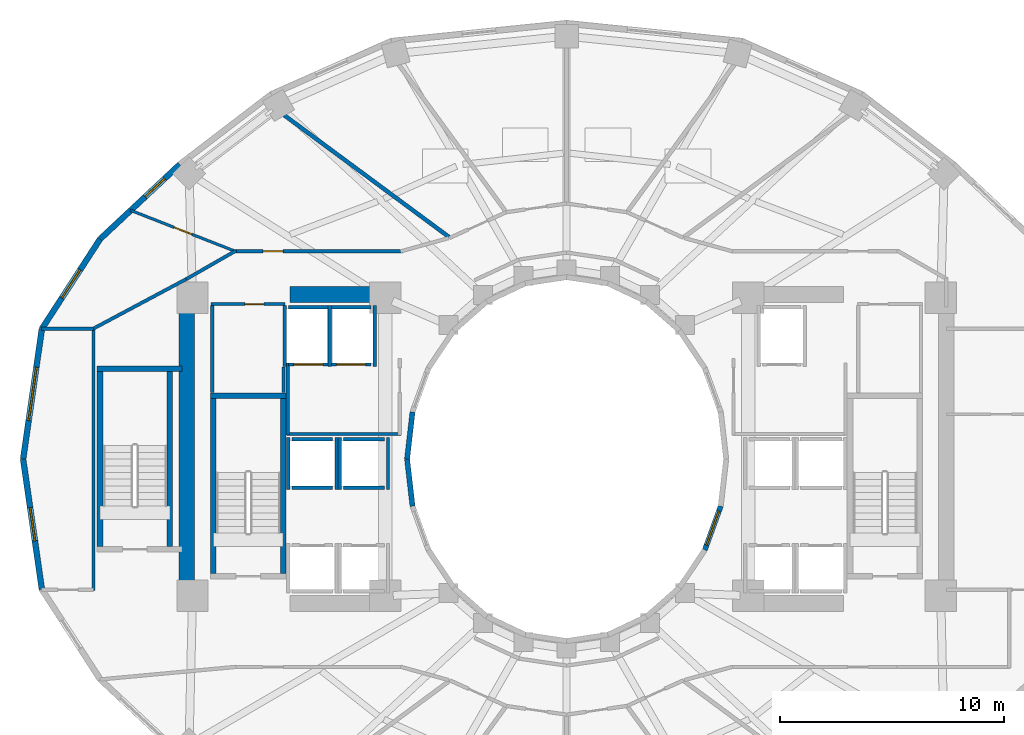
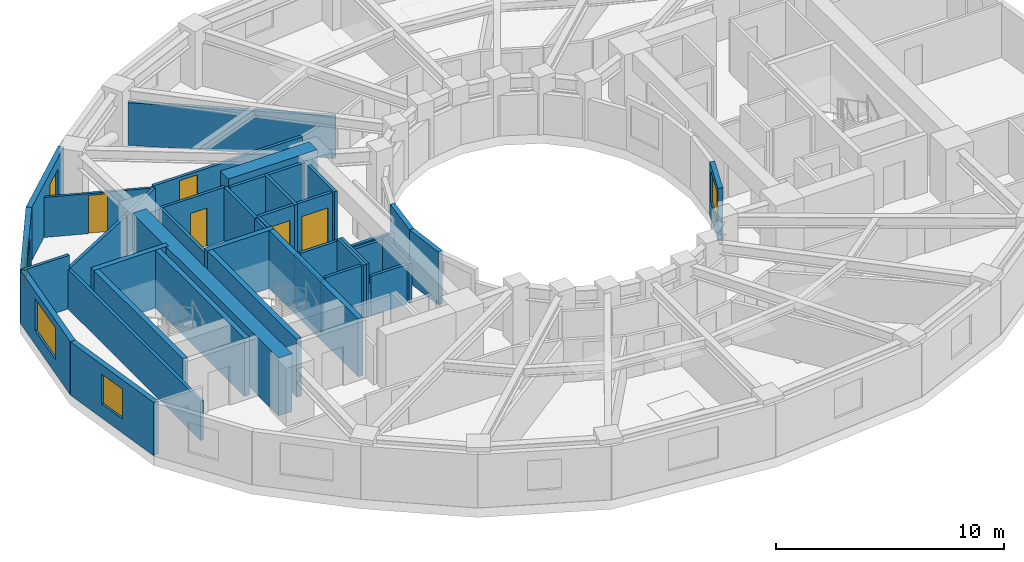
# One storey, part 4 of 9: 42 walls, 5 doors, 5 windows, 10 openings.
"""IFC4 building model written with IfcOpenShell, lengths in metres."""

from ifc_helpers import new_model, si_unit, direction, frame, frame_2d, origin, place, context, subcontext, project, spatial, rectangle, extrude, material, layer, layer_set, type_object, element, fill, save


model = new_model("IFC4")

# Units and contexts
model_context = context("Model", 3, precision=1e-05, world=origin(), true_north=direction((0.0, 1.0)))
body_context = subcontext(model_context, "Body", "Model", "MODEL_VIEW")
ifc_project = project(units=[si_unit("LENGTHUNIT", "METRE"), si_unit("AREAUNIT", "SQUARE_METRE"), si_unit("VOLUMEUNIT", "CUBIC_METRE"), si_unit("PLANEANGLEUNIT", "RADIAN"), si_unit("MASSUNIT", "GRAM", prefix="KILO")], contexts=[model_context])

# Site, building, storey
site_placement = place(None, origin())
site = spatial("IfcSite", under=ifc_project, at=site_placement, CompositionType="ELEMENT")
building_placement = place(site_placement, origin())
building = spatial("IfcBuilding", under=site, at=building_placement, Name="Solvane Sanctuary Tower", CompositionType="ELEMENT")
storey_placement = place(building_placement, frame((0.0, 0.0, 104.199951171875)))
storey = spatial("IfcBuildingStorey", under=building, at=storey_placement, Name="L31", CompositionType="ELEMENT", Elevation=104.199951171875)

# Walls
ifc_material_1 = material(Name="Concrete C60/75", Category="concrete")
ifc_layer_1 = layer(ifc_material_1, 0.699951171875, Name="Concrete C60/75")
ifc_layer_set_1 = layer_set([ifc_layer_1], Name="Concrete C60/75")
wall_type_1 = type_object("IfcWallType", Name="Wall W-CORE-700", PredefinedType="SHEAR", material=ifc_layer_set_1)
wall_1_placement = place(storey_placement, frame((15.050048828125, 17.050048828125, 0.0), z_axis=(0.0, 0.0, 1.0), x_axis=(0.0, 1.0, 0.0)))
element("IfcWall", 1, at=wall_1_placement, inside=storey, type_object=wall_type_1, Name="L31 Core Shear Wall WC-W", PredefinedType="SHEAR", context=body_context, shape_type="SweptSolid", body=[
    extrude(rectangle(XDim=12.800048828125, YDim=0.699951171875, at=frame_2d((6.39990234375, 0.0))), origin(), (0.0, 0.0, 1.0), 3.10009765625),
])
wall_2_placement = place(storey_placement, frame((19.64990234375, 30.35009765625, 0.0), z_axis=(0.0, 0.0, 1.0), x_axis=(1.0, 0.0, 0.0)))
element("IfcWall", 2, at=wall_2_placement, inside=storey, type_object=wall_type_1, Name="L31 Core Shear Wall WC-N", PredefinedType="SHEAR", context=body_context, shape_type="SweptSolid", body=[
    extrude(rectangle(XDim=4.5, YDim=0.699951171875, at=frame_2d((2.25, 0.0))), origin(), (0.0, 0.0, 1.0), 3.10009765625),
])
ifc_material_2 = material(Name="Acoustic Gypsum Partition Board")
ifc_layer_2 = layer(ifc_material_2, 0.14990234375, Name="Acoustic Gypsum Partition Board")
ifc_layer_set_2 = layer_set([ifc_layer_2], Name="Acoustic Gypsum Partition Board")
wall_type_2 = type_object("IfcWallType", Name="Wall W-CORR-150", PredefinedType="PARTITIONING", material=ifc_layer_set_2)
wall_3_placement = place(storey_placement, frame((19.52001953125, 24.1201171875, 0.0), z_axis=(0.0, 0.0, 1.0), x_axis=(1.0, 0.0, 0.0)))
element("IfcWall", 3, at=wall_3_placement, inside=storey, type_object=wall_type_2, Name="L31 West Firefighting Lobby South Wall", PredefinedType="PARTITIONING", context=body_context, shape_type="SweptSolid", body=[
    extrude(rectangle(XDim=5.080078125, YDim=0.14990234375, at=frame_2d((2.5400390625, 0.0))), origin(), (0.0, 0.0, 1.0), 2.1201171875),
])
wall_4_placement = place(storey_placement, frame((19.550048828125, 24.080078125, 0.0), z_axis=(0.0, 0.0, 1.0), x_axis=(0.0, 1.0, 0.0)))
element("IfcWall", 4, at=wall_4_placement, inside=storey, type_object=wall_type_2, Name="L31 West Firefighting Lobby West Wall", PredefinedType="PARTITIONING", context=body_context, shape_type="SweptSolid", body=[
    extrude(rectangle(XDim=3.199951171875, YDim=0.14990234375, at=frame_2d((1.60009765625, 0.0))), origin(), (0.0, 0.0, 1.0), 2.85498046875),
])
wall_5_placement = place(storey_placement, frame((10.8798828125, 17.134765625, 0.0), z_axis=(0.0, 0.0, 1.0), x_axis=(0.0, 1.0, 0.0)))
element("IfcWall", 5, at=wall_5_placement, inside=storey, type_object=wall_type_2, Name="L31 West Shoulder Back Wall", PredefinedType="PARTITIONING", context=body_context, shape_type="SweptSolid", body=[
    extrude(rectangle(XDim=11.73046875, YDim=0.14990234375, at=frame_2d((5.865234375, 0.0))), origin(), (0.0, 0.0, 1.0), 2.1201171875),
])
wall_6_placement = place(storey_placement, frame((8.558349609375, 28.8251953125, 0.0), z_axis=(0.0, 0.0, 1.0), x_axis=(1.0, 0.0, 0.0)))
element("IfcWall", 6, at=wall_6_placement, inside=storey, type_object=wall_type_2, Name="L31 West Shoulder North Wall", PredefinedType="PARTITIONING", context=body_context, shape_type="SweptSolid", body=[
    extrude(rectangle(XDim=2.321533203125, YDim=0.14990234375, at=frame_2d((1.16064453125, 0.0))), origin(), (0.0, 0.0, 1.0), 2.85498046875),
])
wall_7_placement = place(storey_placement, frame((10.8447265625, 28.806396484375, 0.0), z_axis=(0.0, 0.0, 1.0), x_axis=(0.88227840565, 0.470727962759, 0.0)))
element("IfcWall", 7, at=wall_7_placement, inside=storey, type_object=wall_type_2, Name="L31 NW Corner Closer 1", PredefinedType="PARTITIONING", context=body_context, shape_type="SweptSolid", body=[
    extrude(rectangle(XDim=4.806396484375, YDim=0.14990234375, at=frame_2d((2.4033203125, 0.0))), origin(), (0.0, 0.0, 1.0), 2.14208984375),
])

# Wall, opening, door
wall_8_placement = place(storey_placement, frame((17.14990234375, 32.280029296875, 0.0), z_axis=(0.0, 0.0, 1.0), x_axis=(1.0, 0.0, 0.0)))
wall_8 = element("IfcWall", 8, at=wall_8_placement, inside=storey, type_object=wall_type_2, Name="L31 NW Corner Corridor Wall", PredefinedType="PARTITIONING", context=body_context, shape_type="SweptSolid", body=[
    extrude(rectangle(XDim=7.52001953125, YDim=0.14990234375, at=frame_2d((3.760009765625, 0.0))), origin(), (0.0, 0.0, 1.0), 2.27197265625),
])
opening_1_placement = place(wall_8_placement, frame((1.300048828125, 0.0, 0.0)))
opening_1 = element("IfcOpeningElement", 9, at=opening_1_placement, cuts=wall_8, Name="Opening D-L31-13", PredefinedType="OPENING", context=body_context, shape_type="SweptSolid", body=[
    extrude(rectangle(XDim=0.89990234375, YDim=2.10009765625, at=frame_2d((0.449951171875, 1.050048828125))), frame((0.0, 0.0849609375, 0.0), z_axis=(0.0, -1.0, 0.0), x_axis=(1.0, 0.0, 0.0)), (0.0, 0.0, 1.0), 0.169921875),
])
ifc_material_3 = material(Name="Engineered Tropical Hardwood", Category="wood")
door_type_1 = type_object("IfcDoorType", Name="Door D-WET-900", OperationType="NOTDEFINED", PredefinedType="DOOR", material=ifc_material_3)
door_1_placement = place(opening_1_placement, origin())
door_1 = element("IfcDoor", 10, at=door_1_placement, inside=storey, type_object=door_type_1, Name="L31 NW Corner Salon Door", OperationType="SINGLE_SWING_RIGHT", OverallHeight=2.10009765625, OverallWidth=0.89990234375, PredefinedType="DOOR", context=body_context, shape_type="SweptSolid", body=[
    extrude(rectangle(XDim=0.89990234375, YDim=2.10009765625, at=frame_2d((0.449951171875, 1.050048828125))), frame((0.0, 0.02490234375, 0.0), z_axis=(0.0, -1.0, 0.0), x_axis=(1.0, 0.0, 0.0)), (0.0, 0.0, 1.0), 0.050048828125),
])
fill(opening_1, door_1)

# Wall
wall_9_placement = place(storey_placement, frame((17.243408203125, 32.3046875, 0.0), z_axis=(0.0, 0.0, 1.0), x_axis=(-0.867991349648, -0.496579315857, 0.0)))
element("IfcWall", 11, at=wall_9_placement, inside=storey, type_object=wall_type_2, Name="L31 NW Corner Wing Wall", PredefinedType="PARTITIONING", context=body_context, shape_type="SweptSolid", body=[
    extrude(rectangle(XDim=2.56689453125, YDim=0.14990234375, at=frame_2d((1.283447265625, 0.0))), origin(), (0.0, 0.0, 1.0), 2.14208984375),
])

# Wall, opening, window
ifc_material_4 = material(Name="Precast concrete C40/50", Category="concrete")
ifc_layer_3 = layer(ifc_material_4, 0.260009765625, Name="Precast concrete C40/50")
ifc_layer_set_3 = layer_set([ifc_layer_3], Name="Precast concrete C40/50")
wall_type_3 = type_object("IfcWallType", Name="Wall W-EXT-250", PredefinedType="STANDARD", material=ifc_layer_set_3)
wall_10_placement = place(storey_placement, frame((14.734130859375, 36.1533203125, 0.0), z_axis=(0.0, 0.0, 1.0), x_axis=(-0.730162452258, -0.68327358599, 0.0)))
wall_10 = element("IfcWall", 12, at=wall_10_placement, inside=storey, type_object=wall_type_3, Name="L31 Ceramic-Printed Facade Wall 09", PredefinedType="STANDARD", context=body_context, shape_type="SweptSolid", body=[
    extrude(rectangle(XDim=4.868408203125, YDim=0.260009765625, at=frame_2d((2.43408203125, 0.0))), origin(), (0.0, 0.0, 1.0), 2.85009765625),
])
opening_2_placement = place(wall_10_placement, frame((0.925537109375, 0.0, 0.75)))
opening_2 = element("IfcOpeningElement", 13, at=opening_2_placement, cuts=wall_10, Name="Opening WN-OPER-1200", PredefinedType="OPENING", context=body_context, shape_type="SweptSolid", body=[
    extrude(rectangle(XDim=1.199951171875, YDim=1.5, at=frame_2d((0.60009765625, 0.75))), frame((0.0, 0.139892578125, 0.0), z_axis=(0.0, -1.0, 0.0), x_axis=(1.0, 0.0, 0.0)), (0.0, 0.0, 1.0), 0.280029296875),
])
ifc_material_5 = material(Name="Dark Ceramic-Fritted Low-E Glass", Category="glass")
window_type_1 = type_object("IfcWindowType", Name="Window WN-OPER-1200", PartitioningType="SINGLE_PANEL", PredefinedType="WINDOW", material=ifc_material_5)
window_1_placement = place(opening_2_placement, origin())
window_1 = element("IfcWindow", 14, at=window_1_placement, inside=storey, type_object=window_type_1, Name="L31 Operable Facade Window 09", OverallHeight=1.5, OverallWidth=1.199951171875, PartitioningType="SINGLE_PANEL", PredefinedType="WINDOW", context=body_context, shape_type="SweptSolid", body=[
    extrude(rectangle(XDim=1.199951171875, YDim=1.5, at=frame_2d((0.60009765625, 0.75))), frame((0.0, 0.030029296875, 0.0), z_axis=(0.0, -1.0, 0.0), x_axis=(1.0, 0.0, 0.0)), (0.0, 0.0, 1.0), 0.06005859375),
])
fill(opening_2, window_1)

wall_11_placement = place(storey_placement, frame((11.179443359375, 32.826904296875, 0.0), z_axis=(0.0, 0.0, 1.0), x_axis=(-0.544388392991, -0.838833283541, 0.0)))
wall_11 = element("IfcWall", 15, at=wall_11_placement, inside=storey, type_object=wall_type_3, Name="L31 Ceramic-Printed Facade Wall 10", PredefinedType="STANDARD", context=body_context, shape_type="SweptSolid", body=[
    extrude(rectangle(XDim=4.7783203125, YDim=0.260009765625, at=frame_2d((2.38916015625, 0.0))), origin(), (0.0, 0.0, 1.0), 2.85009765625),
])
opening_3_placement = place(wall_11_placement, frame((1.63916015625, 0.0, 0.75)))
opening_3 = element("IfcOpeningElement", 16, at=opening_3_placement, cuts=wall_11, Name="Opening WN-OPER-1500", PredefinedType="OPENING", context=body_context, shape_type="SweptSolid", body=[
    extrude(rectangle(XDim=1.5, YDim=1.60009765625, at=frame_2d((0.75, 0.800048828125))), frame((0.0, 0.139892578125, 0.0), z_axis=(0.0, -1.0, 0.0), x_axis=(1.0, 0.0, 0.0)), (0.0, 0.0, 1.0), 0.280029296875),
])
window_type_2 = type_object("IfcWindowType", Name="Window WN-OPER-1500", PartitioningType="SINGLE_PANEL", PredefinedType="WINDOW", material=ifc_material_5)
window_2_placement = place(opening_3_placement, origin())
window_2 = element("IfcWindow", 17, at=window_2_placement, inside=storey, type_object=window_type_2, Name="L31 Operable Facade Window 10", OverallHeight=1.60009765625, OverallWidth=1.5, PartitioningType="SINGLE_PANEL", PredefinedType="WINDOW", context=body_context, shape_type="SweptSolid", body=[
    extrude(rectangle(XDim=1.5, YDim=1.60009765625, at=frame_2d((0.75, 0.800048828125))), frame((0.0, 0.030029296875, 0.0), z_axis=(0.0, -1.0, 0.0), x_axis=(1.0, 0.0, 0.0)), (0.0, 0.0, 1.0), 0.06005859375),
])
fill(opening_3, window_2)

wall_12_placement = place(storey_placement, frame((8.578125, 28.818603515625, 0.0), z_axis=(0.0, 0.0, 1.0), x_axis=(-0.142572472068, -0.98978436551, 0.0)))
wall_12 = element("IfcWall", 18, at=wall_12_placement, inside=storey, type_object=wall_type_3, Name="L31 Ceramic-Printed Facade Wall 11", PredefinedType="STANDARD", context=body_context, shape_type="SweptSolid", body=[
    extrude(rectangle(XDim=5.878662109375, YDim=0.260009765625, at=frame_2d((2.939453125, 0.0))), origin(), (0.0, 0.0, 1.0), 2.85009765625),
])
opening_4_placement = place(wall_12_placement, frame((1.739501953125, 0.0, 0.75)))
opening_4 = element("IfcOpeningElement", 19, at=opening_4_placement, cuts=wall_12, Name="Opening WN-RIB-2400", PredefinedType="OPENING", context=body_context, shape_type="SweptSolid", body=[
    extrude(rectangle(XDim=2.39990234375, YDim=1.699951171875, at=frame_2d((1.199951171875, 0.85009765625))), frame((0.0, 0.139892578125, 0.0), z_axis=(0.0, -1.0, 0.0), x_axis=(1.0, 0.0, 0.0)), (0.0, 0.0, 1.0), 0.280029296875),
])
window_type_3 = type_object("IfcWindowType", Name="Window WN-RIB-2400", PartitioningType="SINGLE_PANEL", PredefinedType="WINDOW", material=ifc_material_5)
window_3_placement = place(opening_4_placement, origin())
window_3 = element("IfcWindow", 20, at=window_3_placement, inside=storey, type_object=window_type_3, Name="L31 Operable Facade Window 11", OverallHeight=1.699951171875, OverallWidth=2.39990234375, PartitioningType="SINGLE_PANEL", PredefinedType="WINDOW", context=body_context, shape_type="SweptSolid", body=[
    extrude(rectangle(XDim=2.39990234375, YDim=1.699951171875, at=frame_2d((1.199951171875, 0.85009765625))), frame((0.0, 0.030029296875, 0.0), z_axis=(0.0, -1.0, 0.0), x_axis=(1.0, 0.0, 0.0)), (0.0, 0.0, 1.0), 0.06005859375),
])
fill(opening_4, window_3)

wall_13_placement = place(storey_placement, frame((7.739990234375, 23.0, 0.0), z_axis=(0.0, 0.0, 1.0), x_axis=(0.142572472068, -0.98978436551, 0.0)))
wall_13 = element("IfcWall", 21, at=wall_13_placement, inside=storey, type_object=wall_type_3, Name="L31 Ceramic-Printed Facade Wall 12", PredefinedType="STANDARD", context=body_context, shape_type="SweptSolid", body=[
    extrude(rectangle(XDim=5.878662109375, YDim=0.260009765625, at=frame_2d((2.939453125, 0.0))), origin(), (0.0, 0.0, 1.0), 2.85009765625),
])
opening_5_placement = place(wall_13_placement, frame((2.189453125, 0.0, 0.75)))
opening_5 = element("IfcOpeningElement", 22, at=opening_5_placement, cuts=wall_13, Name="Opening WN-OPER-1500", PredefinedType="OPENING", context=body_context, shape_type="SweptSolid", body=[
    extrude(rectangle(XDim=1.5, YDim=1.60009765625, at=frame_2d((0.75, 0.800048828125))), frame((0.0, 0.139892578125, 0.0), z_axis=(0.0, -1.0, 0.0), x_axis=(1.0, 0.0, 0.0)), (0.0, 0.0, 1.0), 0.280029296875),
])
window_4_placement = place(opening_5_placement, origin())
window_4 = element("IfcWindow", 23, at=window_4_placement, inside=storey, type_object=window_type_2, Name="L31 Operable Facade Window 12", OverallHeight=1.60009765625, OverallWidth=1.5, PartitioningType="SINGLE_PANEL", PredefinedType="WINDOW", context=body_context, shape_type="SweptSolid", body=[
    extrude(rectangle(XDim=1.5, YDim=1.60009765625, at=frame_2d((0.75, 0.800048828125))), frame((0.0, 0.030029296875, 0.0), z_axis=(0.0, -1.0, 0.0), x_axis=(1.0, 0.0, 0.0)), (0.0, 0.0, 1.0), 0.06005859375),
])
fill(opening_5, window_4)

# Walls
ifc_layer_4 = layer(ifc_material_4, 0.22998046875, Name="Precast concrete C40/50")
ifc_layer_set_4 = layer_set([ifc_layer_4], Name="Precast concrete C40/50")
wall_type_4 = type_object("IfcWallType", Name="Wall W-EXT-SP220", PredefinedType="STANDARD", material=ifc_layer_set_4)
for number, where, z_axis, x_axis, name in (
    (24, (25.12255859375, 25.1015625, 0.0), (0.0, 0.0, 1.0), (-0.114711713601, -0.993398823617, 0.0), "L31 Central Light-Well Wall 11"),
    (25, (24.8798828125, 23.0, 0.0), (0.0, 0.0, 1.0), (0.114711713601, -0.993398823617, 0.0), "L31 Central Light-Well Wall 12"),
):
    element("IfcWall", number, at=place(storey_placement, frame(where, z_axis=z_axis, x_axis=x_axis)), inside=storey, type_object=wall_type_4, Name=name, PredefinedType="STANDARD", context=body_context, shape_type="SweptSolid", body=[
        extrude(rectangle(XDim=2.115478515625, YDim=0.22998046875, at=frame_2d((1.0576171875, 0.0))), origin(), (0.0, 0.0, 1.0), 2.840087890625),
    ])

# Wall, opening, window
wall_14_placement = place(storey_placement, frame((38.166015625, 18.93994140625, 0.0), z_axis=(0.0, 0.0, 1.0), x_axis=(0.341423187295, 0.93990968033, 0.0)))
wall_14 = element("IfcWall", 26, at=wall_14_placement, inside=storey, type_object=wall_type_4, Name="L31 Central Light-Well Wall 22", PredefinedType="STANDARD", context=body_context, shape_type="SweptSolid", body=[
    extrude(rectangle(XDim=2.083740234375, YDim=0.22998046875, at=frame_2d((1.0419921875, 0.0))), origin(), (0.0, 0.0, 1.0), 2.840087890625),
])
opening_6_placement = place(wall_14_placement, frame((0.24169921875, 0.0, 0.85009765625)))
opening_6 = element("IfcOpeningElement", 27, at=opening_6_placement, cuts=wall_14, Name="Opening WN-WELL-1600", PredefinedType="OPENING", context=body_context, shape_type="SweptSolid", body=[
    extrude(rectangle(XDim=1.60009765625, YDim=1.64990234375, at=frame_2d((0.800048828125, 0.824951171875))), frame((0.0, 0.125, 0.0), z_axis=(0.0, -1.0, 0.0), x_axis=(1.0, 0.0, 0.0)), (0.0, 0.0, 1.0), 0.25),
])
ifc_material_6 = material(Name="Clear Laminated Light-Well Glass", Category="glass")
window_type_4 = type_object("IfcWindowType", Name="Window WN-WELL-1600", PartitioningType="SINGLE_PANEL", PredefinedType="WINDOW", material=ifc_material_6)
window_5_placement = place(opening_6_placement, origin())
window_5 = element("IfcWindow", 28, at=window_5_placement, inside=storey, type_object=window_type_4, Name="L31 Light-Well Daylight Window 22", OverallHeight=1.64990234375, OverallWidth=1.60009765625, PartitioningType="SINGLE_PANEL", PredefinedType="WINDOW", context=body_context, shape_type="SweptSolid", body=[
    extrude(rectangle(XDim=1.60009765625, YDim=1.64990234375, at=frame_2d((0.800048828125, 0.824951171875))), frame((0.0, 0.030029296875, 0.0), z_axis=(0.0, -1.0, 0.0), x_axis=(1.0, 0.0, 0.0)), (0.0, 0.0, 1.0), 0.06005859375),
])
fill(opening_6, window_5)

# Wall, opening, door
ifc_layer_5 = layer(ifc_material_2, 0.1201171875, Name="Acoustic Gypsum Partition Board")
ifc_layer_set_5 = layer_set([ifc_layer_5], Name="Acoustic Gypsum Partition Board")
wall_type_5 = type_object("IfcWallType", Name="Wall W-MOV-100", PredefinedType="MOVABLE", material=ifc_layer_set_5)
wall_15_placement = place(storey_placement, frame((17.24658203125, 32.26171875, 0.0), z_axis=(0.0, 0.0, 1.0), x_axis=(-0.931226461187, 0.364441048711, 0.0)))
wall_15 = element("IfcWall", 29, at=wall_15_placement, inside=storey, type_object=wall_type_5, Name="L31 NW Corner Suite Partition", PredefinedType="MOVABLE", context=body_context, shape_type="SweptSolid", body=[
    extrude(rectangle(XDim=5.0771484375, YDim=0.1201171875, at=frame_2d((2.53857421875, 0.0))), origin(), (0.0, 0.0, 1.0), 2.14208984375),
])
opening_7_placement = place(wall_15_placement, frame((2.113525390625, 0.0, 0.0)))
opening_7 = element("IfcOpeningElement", 30, at=opening_7_placement, cuts=wall_15, Name="Opening D-L31-12", PredefinedType="OPENING", context=body_context, shape_type="SweptSolid", body=[
    extrude(rectangle(XDim=0.85009765625, YDim=2.050048828125, at=frame_2d((0.425048828125, 1.02490234375))), frame((0.0, 0.070068359375, 0.0), z_axis=(0.0, -1.0, 0.0), x_axis=(1.0, 0.0, 0.0)), (0.0, 0.0, 1.0), 0.14013671875),
])
ifc_material_7 = material(Name="Architectural Stainless Steel 316", Category="steel")
door_type_2 = type_object("IfcDoorType", Name="Door D-RISER", OperationType="NOTDEFINED", PredefinedType="DOOR", material=ifc_material_7)
door_2_placement = place(opening_7_placement, origin())
door_2 = element("IfcDoor", 31, at=door_2_placement, inside=storey, type_object=door_type_2, Name="L31 NW Corner Suite Door", OperationType="SINGLE_SWING_LEFT", OverallHeight=2.050048828125, OverallWidth=0.85009765625, PredefinedType="DOOR", context=body_context, shape_type="SweptSolid", body=[
    extrude(rectangle(XDim=0.85009765625, YDim=2.050048828125, at=frame_2d((0.425048828125, 1.02490234375))), frame((0.0, 0.02490234375, 0.0), z_axis=(0.0, -1.0, 0.0), x_axis=(1.0, 0.0, 0.0)), (0.0, 0.0, 1.0), 0.050048828125),
])
fill(opening_7, door_2)

# Walls
ifc_material_8 = material(Name="Concrete C50/60", Category="concrete")
ifc_layer_6 = layer(ifc_material_8, 0.14990234375, Name="Concrete C50/60")
ifc_layer_set_6 = layer_set([ifc_layer_6], Name="Concrete C50/60")
wall_type_6 = type_object("IfcWallType", Name="Wall W-SHAFT-150", PredefinedType="SOLIDWALL", material=ifc_layer_set_6)
for number, where, z_axis, x_axis, name in (
    (32, (19.739990234375, 21.719970703125, 0.0), (0.0, 0.0, 1.0), (1.0, 0.0, 0.0), "L31 PM-1 Lift Shaft Wall F"),
    (33, (19.739990234375, 23.8798828125, 0.0), (0.0, 0.0, 1.0), (1.0, 0.0, 0.0), "L31 PM-1 Lift Shaft Wall B"),
):
    element("IfcWall", number, at=place(storey_placement, frame(where, z_axis=z_axis, x_axis=x_axis)), inside=storey, type_object=wall_type_6, Name=name, PredefinedType="SOLIDWALL", context=body_context, shape_type="SweptSolid", body=[
        extrude(rectangle(XDim=1.820068359375, YDim=0.14990234375, at=frame_2d((0.91015625, 0.0))), origin(), (0.0, 0.0, 1.0), 2.85498046875),
    ])
for number, where, z_axis, x_axis, name in (
    (34, (19.570068359375, 21.639892578125, 0.0), (0.0, 0.0, 1.0), (0.0, 1.0, 0.0), "L31 PM-1 Lift Shaft Wall S1"),
    (35, (21.72998046875, 21.639892578125, 0.0), (0.0, 0.0, 1.0), (0.0, 1.0, 0.0), "L31 PM-1 Lift Shaft Wall S2"),
):
    element("IfcWall", number, at=place(storey_placement, frame(where, z_axis=z_axis, x_axis=x_axis)), inside=storey, type_object=wall_type_6, Name=name, PredefinedType="SOLIDWALL", context=body_context, shape_type="SweptSolid", body=[
        extrude(rectangle(XDim=2.320068359375, YDim=0.14990234375, at=frame_2d((1.16015625, 0.0))), origin(), (0.0, 0.0, 1.0), 2.85498046875),
    ])
for number, where, z_axis, x_axis, name in (
    (36, (22.0400390625, 21.719970703125, 0.0), (0.0, 0.0, 1.0), (1.0, 0.0, 0.0), "L31 PH-1 Lift Shaft Wall F"),
    (37, (22.0400390625, 23.8798828125, 0.0), (0.0, 0.0, 1.0), (1.0, 0.0, 0.0), "L31 PH-1 Lift Shaft Wall B"),
):
    element("IfcWall", number, at=place(storey_placement, frame(where, z_axis=z_axis, x_axis=x_axis)), inside=storey, type_object=wall_type_6, Name=name, PredefinedType="SOLIDWALL", context=body_context, shape_type="SweptSolid", body=[
        extrude(rectangle(XDim=1.820068359375, YDim=0.14990234375, at=frame_2d((0.91015625, 0.0))), origin(), (0.0, 0.0, 1.0), 2.1201171875),
    ])
wall_16_placement = place(storey_placement, frame((21.8701171875, 21.639892578125, 0.0), z_axis=(0.0, 0.0, 1.0), x_axis=(0.0, 1.0, 0.0)))
element("IfcWall", 38, at=wall_16_placement, inside=storey, type_object=wall_type_6, Name="L31 PH-1 Lift Shaft Wall S1", PredefinedType="SOLIDWALL", context=body_context, shape_type="SweptSolid", body=[
    extrude(rectangle(XDim=2.320068359375, YDim=0.14990234375, at=frame_2d((1.16015625, 0.0))), origin(), (0.0, 0.0, 1.0), 2.85498046875),
])
wall_17_placement = place(storey_placement, frame((24.030029296875, 21.639892578125, 0.0), z_axis=(0.0, 0.0, 1.0), x_axis=(0.0, 1.0, 0.0)))
element("IfcWall", 39, at=wall_17_placement, inside=storey, type_object=wall_type_6, Name="L31 PH-1 Lift Shaft Wall S2", PredefinedType="SOLIDWALL", context=body_context, shape_type="SweptSolid", body=[
    extrude(rectangle(XDim=2.320068359375, YDim=0.14990234375, at=frame_2d((1.16015625, 0.0))), origin(), (0.0, 0.0, 1.0), 2.1201171875),
])

# Wall, opening, door
wall_18_placement = place(storey_placement, frame((19.590087890625, 27.219970703125, 0.0), z_axis=(0.0, 0.0, 1.0), x_axis=(1.0, 0.0, 0.0)))
wall_18 = element("IfcWall", 40, at=wall_18_placement, inside=storey, type_object=wall_type_6, Name="L31 FFL-1 Lift Shaft Wall F", PredefinedType="SOLIDWALL", context=body_context, shape_type="SweptSolid", body=[
    extrude(rectangle(XDim=1.760009765625, YDim=0.14990234375, at=frame_2d((0.8798828125, 0.0))), origin(), (0.0, 0.0, 1.0), 2.85498046875),
])
opening_8_placement = place(wall_18_placement, frame((0.22998046875, 0.0, 0.0)))
opening_8 = element("IfcOpeningElement", 41, at=opening_8_placement, cuts=wall_18, Name="Opening LD-L31-05", PredefinedType="OPENING", context=body_context, shape_type="SweptSolid", body=[
    extrude(rectangle(XDim=1.300048828125, YDim=2.10009765625, at=frame_2d((0.64990234375, 1.050048828125))), frame((0.0, 0.0849609375, 0.0), z_axis=(0.0, -1.0, 0.0), x_axis=(1.0, 0.0, 0.0)), (0.0, 0.0, 1.0), 0.169921875),
])
door_type_3 = type_object("IfcDoorType", Name="Door LD-FFL-1300", OperationType="NOTDEFINED", PredefinedType="DOOR", material=ifc_material_7)
door_3_placement = place(opening_8_placement, origin())
door_3 = element("IfcDoor", 42, at=door_3_placement, inside=storey, type_object=door_type_3, Name="L31 FFL-1 Lift Landing Door", OperationType="DOUBLE_DOOR_SLIDING", OverallHeight=2.10009765625, OverallWidth=1.300048828125, PredefinedType="DOOR", context=body_context, shape_type="SweptSolid", body=[
    extrude(rectangle(XDim=1.300048828125, YDim=2.10009765625, at=frame_2d((0.64990234375, 1.050048828125))), frame((0.0, 0.02490234375, 0.0), z_axis=(0.0, -1.0, 0.0), x_axis=(1.0, 0.0, 0.0)), (0.0, 0.0, 1.0), 0.050048828125),
])
fill(opening_8, door_3)

# Walls
wall_19_placement = place(storey_placement, frame((19.590087890625, 29.780029296875, 0.0), z_axis=(0.0, 0.0, 1.0), x_axis=(1.0, 0.0, 0.0)))
element("IfcWall", 43, at=wall_19_placement, inside=storey, type_object=wall_type_6, Name="L31 FFL-1 Lift Shaft Wall B", PredefinedType="SOLIDWALL", context=body_context, shape_type="SweptSolid", body=[
    extrude(rectangle(XDim=1.760009765625, YDim=0.14990234375, at=frame_2d((0.8798828125, 0.0))), origin(), (0.0, 0.0, 1.0), 2.85498046875),
])
for number, where, z_axis, x_axis, name in (
    (44, (19.419921875, 27.139892578125, 0.0), (0.0, 0.0, 1.0), (0.0, 1.0, 0.0), "L31 FFL-1 Lift Shaft Wall S1"),
    (45, (21.425048828125, 27.139892578125, 0.0), (0.0, 0.0, 1.0), (0.0, 1.0, 0.0), "L31 FFL-1 Lift Shaft Wall S2"),
):
    element("IfcWall", number, at=place(storey_placement, frame(where, z_axis=z_axis, x_axis=x_axis)), inside=storey, type_object=wall_type_6, Name=name, PredefinedType="SOLIDWALL", context=body_context, shape_type="SweptSolid", body=[
        extrude(rectangle(XDim=2.72021484375, YDim=0.14990234375, at=frame_2d((1.360107421875, 0.0))), origin(), (0.0, 0.0, 1.0), 2.85498046875),
    ])

# Wall, opening, door
wall_20_placement = place(storey_placement, frame((21.5, 27.219970703125, 0.0), z_axis=(0.0, 0.0, 1.0), x_axis=(1.0, 0.0, 0.0)))
wall_20 = element("IfcWall", 46, at=wall_20_placement, inside=storey, type_object=wall_type_6, Name="L31 SVL-1 Lift Shaft Wall F", PredefinedType="SOLIDWALL", context=body_context, shape_type="SweptSolid", body=[
    extrude(rectangle(XDim=1.760009765625, YDim=0.14990234375, at=frame_2d((0.8798828125, 0.0))), origin(), (0.0, 0.0, 1.0), 2.85498046875),
])
opening_9_placement = place(wall_20_placement, frame((0.22998046875, 0.0, 0.0)))
opening_9 = element("IfcOpeningElement", 47, at=opening_9_placement, cuts=wall_20, Name="Opening LD-L31-06", PredefinedType="OPENING", context=body_context, shape_type="SweptSolid", body=[
    extrude(rectangle(XDim=1.300048828125, YDim=2.10009765625, at=frame_2d((0.64990234375, 1.050048828125))), frame((0.0, 0.0849609375, 0.0), z_axis=(0.0, -1.0, 0.0), x_axis=(1.0, 0.0, 0.0)), (0.0, 0.0, 1.0), 0.169921875),
])
door_4_placement = place(opening_9_placement, origin())
door_4 = element("IfcDoor", 48, at=door_4_placement, inside=storey, type_object=door_type_3, Name="L31 SVL-1 Lift Landing Door", OperationType="DOUBLE_DOOR_SLIDING", OverallHeight=2.10009765625, OverallWidth=1.300048828125, PredefinedType="DOOR", context=body_context, shape_type="SweptSolid", body=[
    extrude(rectangle(XDim=1.300048828125, YDim=2.10009765625, at=frame_2d((0.64990234375, 1.050048828125))), frame((0.0, 0.02490234375, 0.0), z_axis=(0.0, -1.0, 0.0), x_axis=(1.0, 0.0, 0.0)), (0.0, 0.0, 1.0), 0.050048828125),
])
fill(opening_9, door_4)

# Walls
wall_21_placement = place(storey_placement, frame((21.5, 29.780029296875, 0.0), z_axis=(0.0, 0.0, 1.0), x_axis=(1.0, 0.0, 0.0)))
element("IfcWall", 49, at=wall_21_placement, inside=storey, type_object=wall_type_6, Name="L31 SVL-1 Lift Shaft Wall B", PredefinedType="SOLIDWALL", context=body_context, shape_type="SweptSolid", body=[
    extrude(rectangle(XDim=1.760009765625, YDim=0.14990234375, at=frame_2d((0.8798828125, 0.0))), origin(), (0.0, 0.0, 1.0), 2.85498046875),
])
wall_22_placement = place(storey_placement, frame((23.429931640625, 27.139892578125, 0.0), z_axis=(0.0, 0.0, 1.0), x_axis=(0.0, 1.0, 0.0)))
element("IfcWall", 50, at=wall_22_placement, inside=storey, type_object=wall_type_6, Name="L31 SVL-1 Lift Shaft Wall S2", PredefinedType="SOLIDWALL", context=body_context, shape_type="SweptSolid", body=[
    extrude(rectangle(XDim=2.72021484375, YDim=0.14990234375, at=frame_2d((1.360107421875, 0.0))), origin(), (0.0, 0.0, 1.0), 2.85498046875),
])
ifc_layer_7 = layer(ifc_material_8, 0.25, Name="Concrete C50/60")
ifc_layer_set_7 = layer_set([ifc_layer_7], Name="Concrete C50/60")
wall_type_7 = type_object("IfcWallType", Name="Wall W-SHAFT-250", PredefinedType="SOLIDWALL", material=ifc_layer_set_7)
wall_23_placement = place(storey_placement, frame((16.10498046875, 25.830078125, 0.0), z_axis=(0.0, 0.0, 1.0), x_axis=(1.0, 0.0, 0.0)))
element("IfcWall", 51, at=wall_23_placement, inside=storey, type_object=wall_type_7, Name="L31 ST-1 Load-Bearing Shaft Wall N", PredefinedType="SOLIDWALL", context=body_context, shape_type="SweptSolid", body=[
    extrude(rectangle(XDim=3.3701171875, YDim=0.25, at=frame_2d((1.68505859375, 0.0))), origin(), (0.0, 0.0, 1.0), 3.10009765625),
])
for number, where, z_axis, x_axis, name in (
    (52, (16.22998046875, 17.89501953125, 0.0), (0.0, 0.0, 1.0), (0.0, 1.0, 0.0), "L31 ST-1 Load-Bearing Shaft Wall W"),
    (53, (19.35009765625, 17.89501953125, 0.0), (0.0, 0.0, 1.0), (0.0, 1.0, 0.0), "L31 ST-1 Load-Bearing Shaft Wall E"),
):
    element("IfcWall", number, at=place(storey_placement, frame(where, z_axis=z_axis, x_axis=x_axis)), inside=storey, type_object=wall_type_7, Name=name, PredefinedType="SOLIDWALL", context=body_context, shape_type="SweptSolid", body=[
        extrude(rectangle(XDim=7.81005859375, YDim=0.25, at=frame_2d((3.905029296875, 0.0))), origin(), (0.0, 0.0, 1.0), 3.10009765625),
    ])
wall_24_placement = place(storey_placement, frame((11.044921875, 27.030029296875, 0.0), z_axis=(0.0, 0.0, 1.0), x_axis=(1.0, 0.0, 0.0)))
element("IfcWall", 54, at=wall_24_placement, inside=storey, type_object=wall_type_7, Name="L31 ST-3 Load-Bearing Shaft Wall N", PredefinedType="SOLIDWALL", context=body_context, shape_type="SweptSolid", body=[
    extrude(rectangle(XDim=3.781982421875, YDim=0.25, at=frame_2d((1.89111328125, 0.0))), origin(), (0.0, 0.0, 1.0), 3.10009765625),
])
for number, where, z_axis, x_axis, name in (
    (55, (11.169921875, 19.094970703125, 0.0), (0.0, 0.0, 1.0), (0.0, 1.0, 0.0), "L31 ST-3 Load-Bearing Shaft Wall W"),
    (56, (14.2900390625, 19.094970703125, 0.0), (0.0, 0.0, 1.0), (0.0, 1.0, 0.0), "L31 ST-3 Load-Bearing Shaft Wall E"),
):
    element("IfcWall", number, at=place(storey_placement, frame(where, z_axis=z_axis, x_axis=x_axis)), inside=storey, type_object=wall_type_7, Name=name, PredefinedType="SOLIDWALL", context=body_context, shape_type="SweptSolid", body=[
        extrude(rectangle(XDim=7.81005859375, YDim=0.25, at=frame_2d((3.905029296875, 0.0))), origin(), (0.0, 0.0, 1.0), 3.10009765625),
    ])
ifc_layer_8 = layer(ifc_material_2, 0.179931640625, Name="Acoustic Gypsum Partition Board")
ifc_layer_set_8 = layer_set([ifc_layer_8], Name="Acoustic Gypsum Partition Board")
wall_type_8 = type_object("IfcWallType", Name="Wall W-UNIT-180", PredefinedType="PARTITIONING", material=ifc_layer_set_8)
wall_25_placement = place(storey_placement, frame((26.750732421875, 32.9140625, 0.0), z_axis=(0.0, 0.0, 1.0), x_axis=(-0.80430981394, 0.594210167533, 0.0)))
element("IfcWall", 57, at=wall_25_placement, inside=storey, type_object=wall_type_8, Name="L31 Radial Compartment Wall 120", PredefinedType="PARTITIONING", context=body_context, shape_type="SweptSolid", body=[
    extrude(rectangle(XDim=9.146240234375, YDim=0.179931640625, at=frame_2d((4.5732421875, 0.0))), origin(), (0.0, 0.0, 1.0), 2.27197265625),
])

# Wall, opening, door
ifc_layer_9 = layer(ifc_material_2, 0.139892578125, Name="Acoustic Gypsum Partition Board")
ifc_layer_set_9 = layer_set([ifc_layer_9], Name="Acoustic Gypsum Partition Board")
wall_type_9 = type_object("IfcWallType", Name="Wall W-WET-140", PredefinedType="PLUMBINGWALL", material=ifc_layer_set_9)
wall_26_placement = place(storey_placement, frame((16.1201171875, 29.919921875, 0.0), z_axis=(0.0, 0.0, 1.0), x_axis=(1.0, 0.0, 0.0)))
wall_26 = element("IfcWall", 58, at=wall_26_placement, inside=storey, type_object=wall_type_9, Name="L31 Core Service Front Wall KW0", PredefinedType="PLUMBINGWALL", context=body_context, shape_type="SweptSolid", body=[
    extrude(rectangle(XDim=3.2998046875, YDim=0.139892578125, at=frame_2d((1.64990234375, 0.0))), origin(), (0.0, 0.0, 1.0), 2.85498046875),
])
opening_10_placement = place(wall_26_placement, frame((1.515869140625, 0.0, 0.0)))
opening_10 = element("IfcOpeningElement", 59, at=opening_10_placement, cuts=wall_26, Name="Opening D-L31-06", PredefinedType="OPENING", context=body_context, shape_type="SweptSolid", body=[
    extrude(rectangle(XDim=0.85009765625, YDim=2.050048828125, at=frame_2d((0.425048828125, 1.02490234375))), frame((0.0, 0.079833984375, 0.0), z_axis=(0.0, -1.0, 0.0), x_axis=(1.0, 0.0, 0.0)), (0.0, 0.0, 1.0), 0.159912109375),
])
door_5_placement = place(opening_10_placement, origin())
door_5 = element("IfcDoor", 60, at=door_5_placement, inside=storey, type_object=door_type_2, Name="L31 Core Service Room Door KW0-1", OperationType="SINGLE_SWING_LEFT", OverallHeight=2.050048828125, OverallWidth=0.85009765625, PredefinedType="DOOR", context=body_context, shape_type="SweptSolid", body=[
    extrude(rectangle(XDim=0.85009765625, YDim=2.050048828125, at=frame_2d((0.425048828125, 1.02490234375))), frame((0.0, 0.02490234375, 0.0), z_axis=(0.0, -1.0, 0.0), x_axis=(1.0, 0.0, 0.0)), (0.0, 0.0, 1.0), 0.050048828125),
])
fill(opening_10, door_5)

# Walls
wall_27_placement = place(storey_placement, frame((16.179931640625, 25.97998046875, 0.0), z_axis=(0.0, 0.0, 1.0), x_axis=(0.0, 1.0, 0.0)))
element("IfcWall", 61, at=wall_27_placement, inside=storey, type_object=wall_type_9, Name="L31 Core Service Side Wall KW0-1", PredefinedType="PLUMBINGWALL", context=body_context, shape_type="SweptSolid", body=[
    extrude(rectangle(XDim=3.880126953125, YDim=0.139892578125, at=frame_2d((1.93994140625, 0.0))), origin(), (0.0, 0.0, 1.0), 2.85498046875),
])
wall_28_placement = place(storey_placement, frame((19.360107421875, 25.97998046875, 0.0), z_axis=(0.0, 0.0, 1.0), x_axis=(0.0, 1.0, 0.0)))
element("IfcWall", 62, at=wall_28_placement, inside=storey, type_object=wall_type_9, Name="L31 Core Service Side Wall KW0-2", PredefinedType="PLUMBINGWALL", context=body_context, shape_type="SweptSolid", body=[
    extrude(rectangle(XDim=1.1201171875, YDim=0.139892578125, at=frame_2d((0.56005859375, 0.0))), origin(), (0.0, 0.0, 1.0), 2.85498046875),
])

save(model, "model.ifc")
